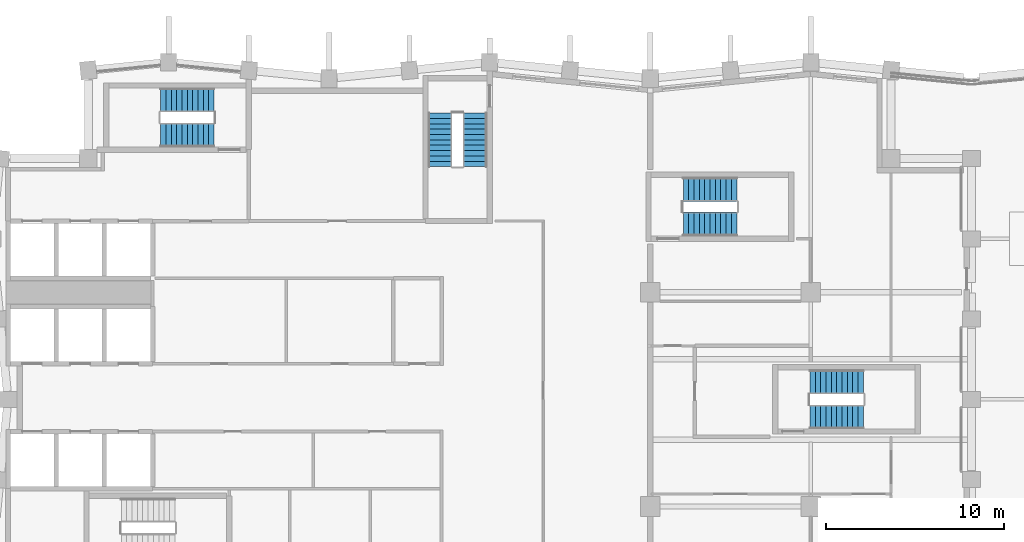
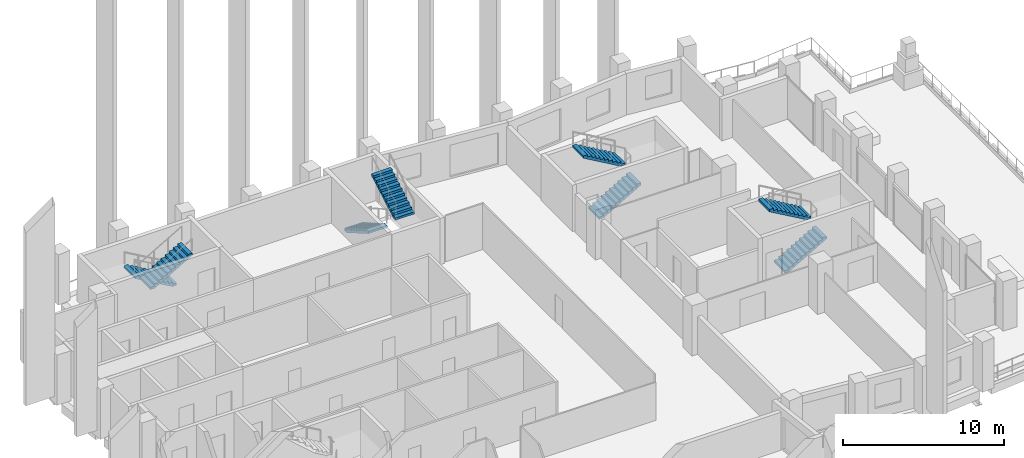
# One storey, part 15 of 19: 8 stair flights, 4 elements without a shape of their own.
"""IFC4 building model written with IfcOpenShell, lengths in metres."""

from ifc_helpers import new_model, si_unit, direction, frame, origin, place, context, subcontext, project, spatial, polyline, outline, extrude, material, type_object, element, aggregate, save


model = new_model("IFC4")

# Units and contexts
model_context = context("Model", 3, precision=1e-05, world=origin(), true_north=direction((0.0, 1.0)))
body_context = subcontext(model_context, "Body", "Model", "MODEL_VIEW")
ifc_project = project(units=[si_unit("LENGTHUNIT", "METRE"), si_unit("AREAUNIT", "SQUARE_METRE"), si_unit("VOLUMEUNIT", "CUBIC_METRE"), si_unit("PLANEANGLEUNIT", "RADIAN"), si_unit("MASSUNIT", "GRAM", prefix="KILO")], contexts=[model_context])

# Site, building, storey
site_placement = place(None, origin())
site = spatial("IfcSite", under=ifc_project, at=site_placement, CompositionType="ELEMENT")
building_placement = place(site_placement, origin())
building = spatial("IfcBuilding", under=site, at=building_placement, Name="Brondeck Convention Tower", CompositionType="ELEMENT")
storey_placement = place(building_placement, frame((0.0, 0.0, 198.800048828125)))
storey = spatial("IfcBuildingStorey", under=building, at=storey_placement, Name="L48", CompositionType="ELEMENT", Elevation=198.800048828125)

# Stair, stair flights
ifc_material = material(Name="Precast concrete C50/60", Category="concrete")
stair_type = type_object("IfcStairType", Name="Core stair 22 risers 172.73 mm riser 300 mm going 1350 wide", PredefinedType="HALF_TURN_STAIR", material=ifc_material)
stair_1_placement = place(storey_placement, origin())
stair_1 = element("IfcStair", 1, at=stair_1_placement, inside=storey, type_object=stair_type, Name="ST-2 L48 stair", PredefinedType="HALF_TURN_STAIR")
stair_flight_type = type_object("IfcStairFlightType", Name="Core stair flight 22 risers 172.73 mm riser 300 mm going 1350 wide", PredefinedType="STRAIGHT", material=ifc_material)
stair_flight_1_placement = place(storey_placement, frame((24.22509765625, 61.050048828125, 0.0), z_axis=(0.0, 0.0, 1.0), x_axis=(0.0, -1.0, 0.0)))
stair_flight_1 = element("IfcStairFlight", 2, at=stair_flight_1_placement, type_object=stair_flight_type, Name="ST-2 flight 1", NumberOfRisers=11, NumberOfTreads=10, PredefinedType="STRAIGHT", RiserHeight=0.172727273, TreadLength=0.3, context=body_context, shape_type="SweptSolid", body=[
    extrude(outline(polyline([(0.0, 0.0), (0.0, 0.172607421875), (0.300048828125, 0.172607421875), (0.300048828125, 0.345458984375), (0.60009765625, 0.345458984375), (0.60009765625, 0.51806640625), (0.89990234375, 0.51806640625), (0.89990234375, 0.69091796875), (1.199951171875, 0.69091796875), (1.199951171875, 0.863525390625), (1.5, 0.863525390625), (1.5, 1.036376953125), (1.800048828125, 1.036376953125), (1.800048828125, 1.208984375), (2.10009765625, 1.208984375), (2.10009765625, 1.3818359375), (2.39990234375, 1.3818359375), (2.39990234375, 1.554443359375), (2.699951171875, 1.554443359375), (2.699951171875, 1.727294921875), (3.0, 1.727294921875), (3.0, 1.89990234375), (3.0, 1.55419921875), (0.300537109375, 0.0), (0.0, 0.0)])), frame((0.0, 0.675048828125, 0.0), z_axis=(0.0, -1.0, 0.0), x_axis=(1.0, 0.0, 0.0)), (0.0, 0.0, 1.0), 1.35009765625),
])
stair_flight_2_placement = place(storey_placement, frame((26.175048828125, 58.050048828125, 1.89990234375), z_axis=(0.0, 0.0, 1.0), x_axis=(0.0, 1.0, 0.0)))
stair_flight_2 = element("IfcStairFlight", 3, at=stair_flight_2_placement, type_object=stair_flight_type, Name="ST-2 flight 2", NumberOfRisers=11, NumberOfTreads=10, PredefinedType="STRAIGHT", RiserHeight=0.172727273, TreadLength=0.3, context=body_context, shape_type="SweptSolid", body=[
    extrude(outline(polyline([(0.0, 0.0), (0.0, 0.172607421875), (0.300048828125, 0.172607421875), (0.300048828125, 0.345458984375), (0.60009765625, 0.345458984375), (0.60009765625, 0.51806640625), (0.89990234375, 0.51806640625), (0.89990234375, 0.69091796875), (1.199951171875, 0.69091796875), (1.199951171875, 0.863525390625), (1.5, 0.863525390625), (1.5, 1.036376953125), (1.800048828125, 1.036376953125), (1.800048828125, 1.208984375), (2.10009765625, 1.208984375), (2.10009765625, 1.3818359375), (2.39990234375, 1.3818359375), (2.39990234375, 1.554443359375), (2.699951171875, 1.554443359375), (2.699951171875, 1.727294921875), (3.0, 1.727294921875), (3.0, 1.89990234375), (3.0, 1.55419921875), (0.300537109375, 0.0), (0.0, 0.0)])), frame((0.0, 0.675048828125, 0.0), z_axis=(0.0, -1.0, 0.0), x_axis=(1.0, 0.0, 0.0)), (0.0, 0.0, 1.0), 1.35009765625),
])
aggregate(stair_1, [stair_flight_1, stair_flight_2])

stair_2_placement = place(storey_placement, origin())
stair_2 = element("IfcStair", 4, at=stair_2_placement, inside=storey, type_object=stair_type, Name="ST-3 L48 stair", PredefinedType="HALF_TURN_STAIR")
stair_flight_3_placement = place(storey_placement, frame((11.550048828125, 61.77490234375, 0.0), z_axis=(0.0, 0.0, 1.0), x_axis=(-1.0, 0.0, 0.0)))
stair_flight_3 = element("IfcStairFlight", 5, at=stair_flight_3_placement, type_object=stair_flight_type, Name="ST-3 flight 1", NumberOfRisers=11, NumberOfTreads=10, PredefinedType="STRAIGHT", RiserHeight=0.172727273, TreadLength=0.3, context=body_context, shape_type="SweptSolid", body=[
    extrude(outline(polyline([(0.0, 0.0), (0.0, 0.172607421875), (0.300048828125, 0.172607421875), (0.300048828125, 0.345458984375), (0.60009765625, 0.345458984375), (0.60009765625, 0.51806640625), (0.89990234375, 0.51806640625), (0.89990234375, 0.69091796875), (1.199951171875, 0.69091796875), (1.199951171875, 0.863525390625), (1.5, 0.863525390625), (1.5, 1.036376953125), (1.800048828125, 1.036376953125), (1.800048828125, 1.208984375), (2.10009765625, 1.208984375), (2.10009765625, 1.3818359375), (2.39990234375, 1.3818359375), (2.39990234375, 1.554443359375), (2.699951171875, 1.554443359375), (2.699951171875, 1.727294921875), (3.0, 1.727294921875), (3.0, 1.89990234375), (3.0, 1.55419921875), (0.300537109375, 0.0), (0.0, 0.0)])), frame((0.0, 0.675048828125, 0.0), z_axis=(0.0, -1.0, 0.0), x_axis=(1.0, 0.0, 0.0)), (0.0, 0.0, 1.0), 1.35009765625),
])
stair_flight_4_placement = place(storey_placement, frame((8.550048828125, 59.824951171875, 1.89990234375), z_axis=(0.0, 0.0, 1.0), x_axis=(1.0, 0.0, 0.0)))
stair_flight_4 = element("IfcStairFlight", 6, at=stair_flight_4_placement, type_object=stair_flight_type, Name="ST-3 flight 2", NumberOfRisers=11, NumberOfTreads=10, PredefinedType="STRAIGHT", RiserHeight=0.172727273, TreadLength=0.3, context=body_context, shape_type="SweptSolid", body=[
    extrude(outline(polyline([(0.0, 0.0), (0.0, 0.172607421875), (0.300048828125, 0.172607421875), (0.300048828125, 0.345458984375), (0.60009765625, 0.345458984375), (0.60009765625, 0.51806640625), (0.89990234375, 0.51806640625), (0.89990234375, 0.69091796875), (1.199951171875, 0.69091796875), (1.199951171875, 0.863525390625), (1.5, 0.863525390625), (1.5, 1.036376953125), (1.800048828125, 1.036376953125), (1.800048828125, 1.208984375), (2.10009765625, 1.208984375), (2.10009765625, 1.3818359375), (2.39990234375, 1.3818359375), (2.39990234375, 1.554443359375), (2.699951171875, 1.554443359375), (2.699951171875, 1.727294921875), (3.0, 1.727294921875), (3.0, 1.89990234375), (3.0, 1.55419921875), (0.300537109375, 0.0), (0.0, 0.0)])), frame((0.0, 0.675048828125, 0.0), z_axis=(0.0, -1.0, 0.0), x_axis=(1.0, 0.0, 0.0)), (0.0, 0.0, 1.0), 1.35009765625),
])
aggregate(stair_2, [stair_flight_3, stair_flight_4])

stair_3_placement = place(storey_placement, origin())
stair_3 = element("IfcStair", 7, at=stair_3_placement, inside=storey, type_object=stair_type, Name="ST-AE L48 stair", PredefinedType="HALF_TURN_STAIR")
stair_flight_5_placement = place(storey_placement, frame((37.85009765625, 54.824951171875, 0.0), z_axis=(0.0, 0.0, 1.0), x_axis=(1.0, 0.0, 0.0)))
stair_flight_5 = element("IfcStairFlight", 8, at=stair_flight_5_placement, type_object=stair_flight_type, Name="ST-AE flight 1", NumberOfRisers=11, NumberOfTreads=10, PredefinedType="STRAIGHT", RiserHeight=0.172727273, TreadLength=0.3, context=body_context, shape_type="SweptSolid", body=[
    extrude(outline(polyline([(0.0, 0.0), (0.0, 0.172607421875), (0.300048828125, 0.172607421875), (0.300048828125, 0.345458984375), (0.60009765625, 0.345458984375), (0.60009765625, 0.51806640625), (0.89990234375, 0.51806640625), (0.89990234375, 0.69091796875), (1.199951171875, 0.69091796875), (1.199951171875, 0.863525390625), (1.5, 0.863525390625), (1.5, 1.036376953125), (1.800048828125, 1.036376953125), (1.800048828125, 1.208984375), (2.10009765625, 1.208984375), (2.10009765625, 1.3818359375), (2.39990234375, 1.3818359375), (2.39990234375, 1.554443359375), (2.699951171875, 1.554443359375), (2.699951171875, 1.727294921875), (3.0, 1.727294921875), (3.0, 1.89990234375), (3.0, 1.55419921875), (0.300537109375, 0.0), (0.0, 0.0)])), frame((0.0, 0.675048828125, 0.0), z_axis=(0.0, -1.0, 0.0), x_axis=(1.0, 0.0, 0.0)), (0.0, 0.0, 1.0), 1.35009765625),
])
stair_flight_6_placement = place(storey_placement, frame((40.85009765625, 56.77490234375, 1.89990234375), z_axis=(0.0, 0.0, 1.0), x_axis=(-1.0, 0.0, 0.0)))
stair_flight_6 = element("IfcStairFlight", 9, at=stair_flight_6_placement, type_object=stair_flight_type, Name="ST-AE flight 2", NumberOfRisers=11, NumberOfTreads=10, PredefinedType="STRAIGHT", RiserHeight=0.172727273, TreadLength=0.3, context=body_context, shape_type="SweptSolid", body=[
    extrude(outline(polyline([(0.0, 0.0), (0.0, 0.172607421875), (0.300048828125, 0.172607421875), (0.300048828125, 0.345458984375), (0.60009765625, 0.345458984375), (0.60009765625, 0.51806640625), (0.89990234375, 0.51806640625), (0.89990234375, 0.69091796875), (1.199951171875, 0.69091796875), (1.199951171875, 0.863525390625), (1.5, 0.863525390625), (1.5, 1.036376953125), (1.800048828125, 1.036376953125), (1.800048828125, 1.208984375), (2.10009765625, 1.208984375), (2.10009765625, 1.3818359375), (2.39990234375, 1.3818359375), (2.39990234375, 1.554443359375), (2.699951171875, 1.554443359375), (2.699951171875, 1.727294921875), (3.0, 1.727294921875), (3.0, 1.89990234375), (3.0, 1.55419921875), (0.300537109375, 0.0), (0.0, 0.0)])), frame((0.0, 0.675048828125, 0.0), z_axis=(0.0, -1.0, 0.0), x_axis=(1.0, 0.0, 0.0)), (0.0, 0.0, 1.0), 1.35009765625),
])
aggregate(stair_3, [stair_flight_5, stair_flight_6])

stair_4_placement = place(storey_placement, origin())
stair_4 = element("IfcStair", 10, at=stair_4_placement, inside=storey, type_object=stair_type, Name="ST-AF L48 stair", PredefinedType="HALF_TURN_STAIR")
stair_flight_7_placement = place(storey_placement, frame((44.949951171875, 44.02490234375, 0.0), z_axis=(0.0, 0.0, 1.0), x_axis=(1.0, 0.0, 0.0)))
stair_flight_7 = element("IfcStairFlight", 11, at=stair_flight_7_placement, type_object=stair_flight_type, Name="ST-AF flight 1", NumberOfRisers=11, NumberOfTreads=10, PredefinedType="STRAIGHT", RiserHeight=0.172727273, TreadLength=0.3, context=body_context, shape_type="SweptSolid", body=[
    extrude(outline(polyline([(0.0, 0.0), (0.0, 0.172607421875), (0.300048828125, 0.172607421875), (0.300048828125, 0.345458984375), (0.60009765625, 0.345458984375), (0.60009765625, 0.51806640625), (0.89990234375, 0.51806640625), (0.89990234375, 0.69091796875), (1.199951171875, 0.69091796875), (1.199951171875, 0.863525390625), (1.5, 0.863525390625), (1.5, 1.036376953125), (1.800048828125, 1.036376953125), (1.800048828125, 1.208984375), (2.10009765625, 1.208984375), (2.10009765625, 1.3818359375), (2.39990234375, 1.3818359375), (2.39990234375, 1.554443359375), (2.699951171875, 1.554443359375), (2.699951171875, 1.727294921875), (3.0, 1.727294921875), (3.0, 1.89990234375), (3.0, 1.55419921875), (0.300537109375, 0.0), (0.0, 0.0)])), frame((0.0, 0.675048828125, 0.0), z_axis=(0.0, -1.0, 0.0), x_axis=(1.0, 0.0, 0.0)), (0.0, 0.0, 1.0), 1.35009765625),
])
stair_flight_8_placement = place(storey_placement, frame((47.949951171875, 45.97509765625, 1.89990234375), z_axis=(0.0, 0.0, 1.0), x_axis=(-1.0, 0.0, 0.0)))
stair_flight_8 = element("IfcStairFlight", 12, at=stair_flight_8_placement, type_object=stair_flight_type, Name="ST-AF flight 2", NumberOfRisers=11, NumberOfTreads=10, PredefinedType="STRAIGHT", RiserHeight=0.172727273, TreadLength=0.3, context=body_context, shape_type="SweptSolid", body=[
    extrude(outline(polyline([(0.0, 0.0), (0.0, 0.172607421875), (0.300048828125, 0.172607421875), (0.300048828125, 0.345458984375), (0.60009765625, 0.345458984375), (0.60009765625, 0.51806640625), (0.89990234375, 0.51806640625), (0.89990234375, 0.69091796875), (1.199951171875, 0.69091796875), (1.199951171875, 0.863525390625), (1.5, 0.863525390625), (1.5, 1.036376953125), (1.800048828125, 1.036376953125), (1.800048828125, 1.208984375), (2.10009765625, 1.208984375), (2.10009765625, 1.3818359375), (2.39990234375, 1.3818359375), (2.39990234375, 1.554443359375), (2.699951171875, 1.554443359375), (2.699951171875, 1.727294921875), (3.0, 1.727294921875), (3.0, 1.89990234375), (3.0, 1.55419921875), (0.300537109375, 0.0), (0.0, 0.0)])), frame((0.0, 0.675048828125, 0.0), z_axis=(0.0, -1.0, 0.0), x_axis=(1.0, 0.0, 0.0)), (0.0, 0.0, 1.0), 1.35009765625),
])
aggregate(stair_4, [stair_flight_7, stair_flight_8])

save(model, "model.ifc")
